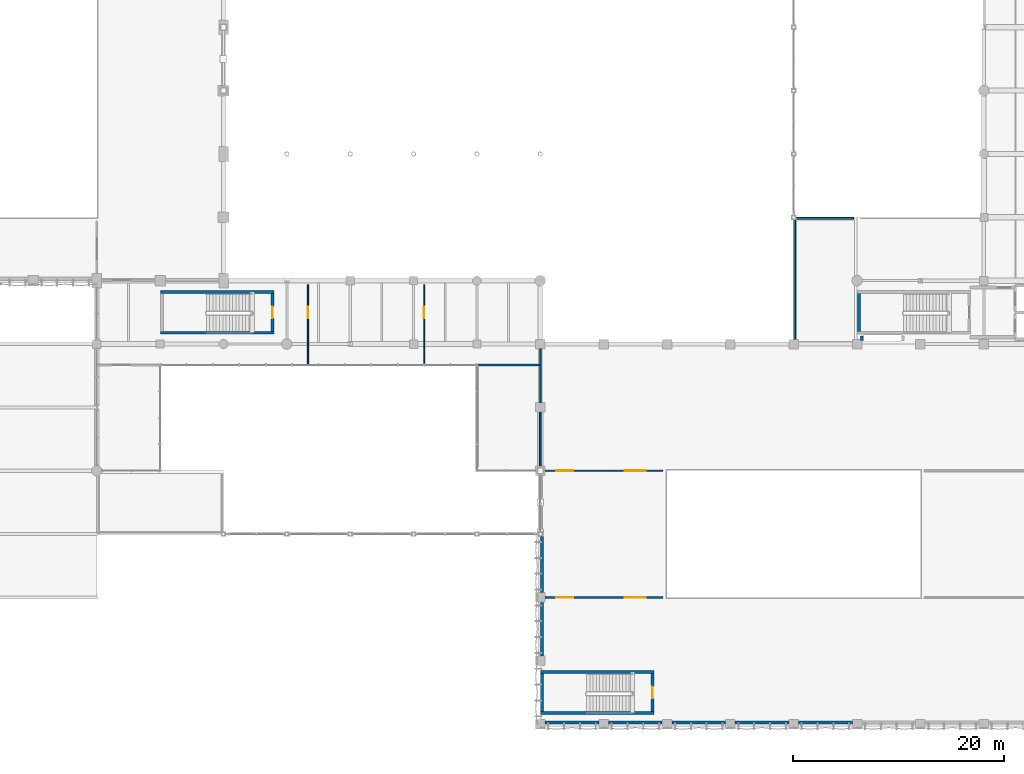
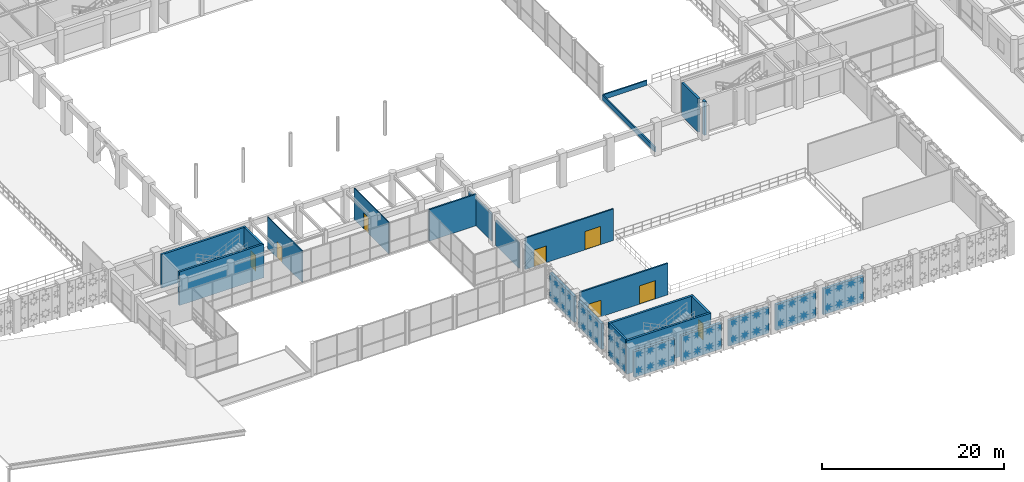
# One storey, part 98 of 133: 25 walls, 8 doors, 8 openings.
"""IFC4 building model written with IfcOpenShell, lengths in metres."""

from ifc_helpers import new_model, si_unit, direction, frame, frame_2d, origin, place, context, subcontext, project, spatial, rectangle, extrude, material, layer, layer_set, type_object, element, fill, save


model = new_model("IFC4")

# Units and contexts
model_context = context("Model", 3, precision=1e-05, world=origin(), true_north=direction((0.0, 1.0)))
body_context = subcontext(model_context, "Body", "Model", "MODEL_VIEW")
ifc_project = project(units=[si_unit("LENGTHUNIT", "METRE"), si_unit("AREAUNIT", "SQUARE_METRE"), si_unit("VOLUMEUNIT", "CUBIC_METRE"), si_unit("PLANEANGLEUNIT", "RADIAN"), si_unit("MASSUNIT", "GRAM", prefix="KILO"), si_unit("THERMODYNAMICTEMPERATUREUNIT", "KELVIN"), si_unit("POWERUNIT", "WATT")], contexts=[model_context])

# Site, building, storey
site_placement = place(None, origin())
site = spatial("IfcSite", under=ifc_project, at=site_placement, CompositionType="ELEMENT")
building_placement = place(site_placement, origin())
building = spatial("IfcBuilding", under=site, at=building_placement, Name="Phaisarnlok Congress Hotel", CompositionType="ELEMENT")
storey_placement = place(building_placement, frame((0.0, 0.0, 6.0)))
storey = spatial("IfcBuildingStorey", under=building, at=storey_placement, Name="L01", CompositionType="ELEMENT", Elevation=6.0)

# Walls
ifc_material_1 = material(Name="Concrete C40/50", Category="concrete")
ifc_layer_1 = layer(ifc_material_1, 0.320068359375, Name="Concrete C40/50")
ifc_layer_set_1 = layer_set([ifc_layer_1], Name="Concrete C40/50")
wall_type_1 = type_object("IfcWallType", Name="WL-EXT-320", PredefinedType="SOLIDWALL", material=ifc_layer_set_1)
wall_1_placement = place(storey_placement, frame((96.159912109375, 17.791748046875, 0.0), z_axis=(0.0, 0.0, 1.0), x_axis=(0.0, -1.0, 0.0)))
element("IfcWall", 1, at=wall_1_placement, inside=storey, type_object=wall_type_1, Name="Exterior wall EW-02 (L01)", PredefinedType="SOLIDWALL", context=body_context, shape_type="SweptSolid", body=[
    extrude(rectangle(XDim=5.336669921875, YDim=0.320068359375, at=frame_2d((2.66845703125, 0.0))), origin(), (0.0, 0.0, 1.0), 3.469970703125),
])
for number, where, z_axis, x_axis, name in (
    (2, (96.159912109375, 11.544921875, 0.0), (0.0, 0.0, 1.0), (0.0, -1.0, 0.0), "Exterior wall EW-02 (L01)"),
    (3, (96.455078125, 0.159912109375, 0.0), (0.0, 0.0, 1.0), (1.0, 0.0, 0.0), "Exterior wall EW-02 (L01)"),
    (4, (102.455078125, 0.159912109375, 0.0), (0.0, 0.0, 1.0), (1.0, 0.0, 0.0), "Exterior wall EW-02 (L01)"),
    (5, (108.455078125, 0.159912109375, 0.0), (0.0, 0.0, 1.0), (1.0, 0.0, 0.0), "Exterior wall EW-02 (L01)"),
    (6, (114.455078125, 0.159912109375, 0.0), (0.0, 0.0, 1.0), (1.0, 0.0, 0.0), "Exterior wall EW-02 (L01)"),
    (7, (120.455078125, 0.159912109375, 0.0), (0.0, 0.0, 1.0), (1.0, 0.0, 0.0), "Exterior wall EW-02 (L01)"),
):
    element("IfcWall", number, at=place(storey_placement, frame(where, z_axis=z_axis, x_axis=x_axis)), inside=storey, type_object=wall_type_1, Name=name, PredefinedType="SOLIDWALL", context=body_context, shape_type="SweptSolid", body=[
        extrude(rectangle(XDim=5.08984375, YDim=0.320068359375, at=frame_2d((2.544921875, 0.0))), origin(), (0.0, 0.0, 1.0), 3.469970703125),
    ])

# Wall, opening, door
ifc_material_2 = material(Name="Service Riser Shaftwall Partition", Category="gypsum")
ifc_layer_2 = layer(ifc_material_2, 0.10498046875, Name="Service Riser Shaftwall Partition")
ifc_layer_set_2 = layer_set([ifc_layer_2], Name="Service Riser Shaftwall Partition")
wall_type_2 = type_object("IfcWallType", Name="WL-INT-105", PredefinedType="PARTITIONING", material=ifc_layer_set_2)
wall_2_placement = place(storey_placement, frame((74.0, 34.044921875, 0.0), z_axis=(0.0, 0.0, 1.0), x_axis=(0.0, 1.0, 0.0)))
wall_2 = element("IfcWall", 8, at=wall_2_placement, inside=storey, type_object=wall_type_2, Name="Interior partition wall IW-08 (L01)", PredefinedType="PARTITIONING", context=body_context, shape_type="SweptSolid", body=[
    extrude(rectangle(XDim=7.5849609375, YDim=0.10498046875, at=frame_2d((3.79248046875, 0.0))), origin(), (0.0, 0.0, 1.0), 4.219970703125),
])
opening_1_placement = place(wall_2_placement, frame((4.405029296875, 0.0, 0.0)))
opening_1 = element("IfcOpeningElement", 9, at=opening_1_placement, cuts=wall_2, Name="Opening D-0064", PredefinedType="OPENING", context=body_context, shape_type="SweptSolid", body=[
    extrude(rectangle(XDim=1.10009765625, YDim=2.14990234375, at=frame_2d((0.550048828125, 1.074951171875))), frame((0.0, 0.0625, 0.0), z_axis=(0.0, -1.0, 0.0), x_axis=(1.0, 0.0, 0.0)), (0.0, 0.0, 1.0), 0.125),
])
ifc_material_3 = material(Name="Fire-Rated Steel Frame & Timber Leaf", Category="steel")
door_type_1 = type_object("IfcDoorType", Name="DR-FD60-1100", OperationType="NOTDEFINED", PredefinedType="DOOR", material=ifc_material_3)
door_1_placement = place(opening_1_placement, origin())
door_1 = element("IfcDoor", 10, at=door_1_placement, inside=storey, type_object=door_type_1, Name="Interior door D-0064 (L01)", OperationType="SINGLE_SWING_RIGHT", OverallHeight=2.14990234375, OverallWidth=1.10009765625, PredefinedType="DOOR", context=body_context, shape_type="SweptSolid", body=[
    extrude(rectangle(XDim=1.10009765625, YDim=2.14990234375, at=frame_2d((0.550048828125, 1.074951171875))), frame((0.0, 0.02490234375, 0.0), z_axis=(0.0, -1.0, 0.0), x_axis=(1.0, 0.0, 0.0)), (0.0, 0.0, 1.0), 0.050048828125),
])
fill(opening_1, door_1)

wall_3_placement = place(storey_placement, frame((85.0, 34.044921875, 0.0), z_axis=(0.0, 0.0, 1.0), x_axis=(0.0, 1.0, 0.0)))
wall_3 = element("IfcWall", 11, at=wall_3_placement, inside=storey, type_object=wall_type_2, Name="Interior partition wall IW-08 (L01)", PredefinedType="PARTITIONING", context=body_context, shape_type="SweptSolid", body=[
    extrude(rectangle(XDim=7.5849609375, YDim=0.10498046875, at=frame_2d((3.79248046875, 0.0))), origin(), (0.0, 0.0, 1.0), 4.219970703125),
])
opening_2_placement = place(wall_3_placement, frame((4.405029296875, 0.0, 0.0)))
opening_2 = element("IfcOpeningElement", 12, at=opening_2_placement, cuts=wall_3, Name="Opening D-0065", PredefinedType="OPENING", context=body_context, shape_type="SweptSolid", body=[
    extrude(rectangle(XDim=1.10009765625, YDim=2.14990234375, at=frame_2d((0.550048828125, 1.074951171875))), frame((0.0, 0.0625, 0.0), z_axis=(0.0, -1.0, 0.0), x_axis=(1.0, 0.0, 0.0)), (0.0, 0.0, 1.0), 0.125),
])
door_2_placement = place(opening_2_placement, origin())
door_2 = element("IfcDoor", 13, at=door_2_placement, inside=storey, type_object=door_type_1, Name="Interior door D-0065 (L01)", OperationType="SINGLE_SWING_LEFT", OverallHeight=2.14990234375, OverallWidth=1.10009765625, PredefinedType="DOOR", context=body_context, shape_type="SweptSolid", body=[
    extrude(rectangle(XDim=1.10009765625, YDim=2.14990234375, at=frame_2d((0.550048828125, 1.074951171875))), frame((0.0, 0.02490234375, 0.0), z_axis=(0.0, -1.0, 0.0), x_axis=(1.0, 0.0, 0.0)), (0.0, 0.0, 1.0), 0.050048828125),
])
fill(opening_2, door_2)

# Walls
ifc_material_4 = material(Name="Acoustic Gypsum Board & Mineral Wool", Category="gypsum")
ifc_layer_3 = layer(ifc_material_4, 0.14990234375, Name="Acoustic Gypsum Board & Mineral Wool")
ifc_layer_set_3 = layer_set([ifc_layer_3], Name="Acoustic Gypsum Board & Mineral Wool")
wall_type_3 = type_object("IfcWallType", Name="WL-INT-150", PredefinedType="PARTITIONING", material=ifc_layer_set_3)
wall_4_placement = place(storey_placement, frame((96.0, 30.455078125, 0.0), z_axis=(0.0, 0.0, 1.0), x_axis=(0.0, 1.0, 0.0)))
element("IfcWall", 14, at=wall_4_placement, inside=storey, type_object=wall_type_3, Name="Interior partition wall IW-05 (L01)", PredefinedType="PARTITIONING", context=body_context, shape_type="SweptSolid", body=[
    extrude(rectangle(XDim=5.08984375, YDim=0.14990234375, at=frame_2d((2.544921875, 0.0))), origin(), (0.0, 0.0, 1.0), 3.669921875),
])
ifc_material_5 = material(Name="Double-Stud Acoustic Gypsum Partition", Category="gypsum")
ifc_layer_4 = layer(ifc_material_5, 0.159912109375, Name="Double-Stud Acoustic Gypsum Partition")
ifc_layer_set_4 = layer_set([ifc_layer_4], Name="Double-Stud Acoustic Gypsum Partition")
wall_type_4 = type_object("IfcWallType", Name="WL-INT-160", PredefinedType="PARTITIONING", material=ifc_layer_set_4)
wall_5_placement = place(storey_placement, frame((96.0, 24.455078125, 0.0), z_axis=(0.0, 0.0, 1.0), x_axis=(0.0, 1.0, 0.0)))
element("IfcWall", 15, at=wall_5_placement, inside=storey, type_object=wall_type_4, Name="Interior partition wall IW-04 (L01)", PredefinedType="PARTITIONING", context=body_context, shape_type="SweptSolid", body=[
    extrude(rectangle(XDim=5.08984375, YDim=0.159912109375, at=frame_2d((2.544921875, 0.0))), origin(), (0.0, 0.0, 1.0), 3.419921875),
])

# Wall, openings, doors
ifc_material_6 = material(Name="Autoclaved Aerated Concrete Block", Category="concrete")
ifc_layer_5 = layer(ifc_material_6, 0.179931640625, Name="Autoclaved Aerated Concrete Block")
ifc_layer_set_5 = layer_set([ifc_layer_5], Name="Autoclaved Aerated Concrete Block")
wall_type_5 = type_object("IfcWallType", Name="WL-INT-180", PredefinedType="PARTITIONING", material=ifc_layer_set_5)
wall_6_placement = place(storey_placement, frame((96.455078125, 24.0, 0.0), z_axis=(0.0, 0.0, 1.0), x_axis=(1.0, 0.0, 0.0)))
wall_6 = element("IfcWall", 16, at=wall_6_placement, inside=storey, type_object=wall_type_5, Name="Interior partition wall IW-03 (L01)", PredefinedType="PARTITIONING", context=body_context, shape_type="SweptSolid", body=[
    extrude(rectangle(XDim=11.1748046875, YDim=0.179931640625, at=frame_2d((5.58740234375, 0.0))), origin(), (0.0, 0.0, 1.0), 4.219970703125),
])
opening_3_placement = place(wall_6_placement, frame((7.544921875, 0.0, 0.0)))
opening_3 = element("IfcOpeningElement", 17, at=opening_3_placement, cuts=wall_6, Name="Opening D-0060", PredefinedType="OPENING", context=body_context, shape_type="SweptSolid", body=[
    extrude(rectangle(XDim=2.0, YDim=2.449951171875, at=frame_2d((1.0, 1.22509765625))), frame((0.0, 0.10009765625, 0.0), z_axis=(0.0, -1.0, 0.0), x_axis=(1.0, 0.0, 0.0)), (0.0, 0.0, 1.0), 0.199951171875),
])
opening_4_placement = place(wall_6_placement, frame((1.06494140625, 0.0, 0.0)))
opening_4 = element("IfcOpeningElement", 18, at=opening_4_placement, cuts=wall_6, Name="Opening D-0080", PredefinedType="OPENING", context=body_context, shape_type="SweptSolid", body=[
    extrude(rectangle(XDim=1.60009765625, YDim=2.25, at=frame_2d((0.800048828125, 1.125))), frame((0.0, 0.10009765625, 0.0), z_axis=(0.0, -1.0, 0.0), x_axis=(1.0, 0.0, 0.0)), (0.0, 0.0, 1.0), 0.199951171875),
])
ifc_material_7 = material(Name="Frameless Tempered Acoustic Glass", Category="glass")
door_type_2 = type_object("IfcDoorType", Name="DR-GLZ-1600", OperationType="DOUBLE_DOOR_SINGLE_SWING", PredefinedType="DOOR", material=ifc_material_7)
door_3_placement = place(opening_4_placement, origin())
door_3 = element("IfcDoor", 19, at=door_3_placement, inside=storey, type_object=door_type_2, Name="Interior door D-0080 (L01)", OperationType="DOUBLE_DOOR_SINGLE_SWING", OverallHeight=2.25, OverallWidth=1.60009765625, PredefinedType="DOOR", context=body_context, shape_type="SweptSolid", body=[
    extrude(rectangle(XDim=1.60009765625, YDim=2.25, at=frame_2d((0.800048828125, 1.125))), frame((0.0, 0.02490234375, 0.0), z_axis=(0.0, -1.0, 0.0), x_axis=(1.0, 0.0, 0.0)), (0.0, 0.0, 1.0), 0.050048828125),
])
fill(opening_4, door_3)
ifc_material_8 = material(Name="Acoustic Double-Seal Congress Door", Category="wood")
door_type_3 = type_object("IfcDoorType", Name="DR-HALL-2000", OperationType="DOUBLE_DOOR_SINGLE_SWING", PredefinedType="DOOR", material=ifc_material_8)
door_4_placement = place(opening_3_placement, origin())
door_4 = element("IfcDoor", 20, at=door_4_placement, inside=storey, type_object=door_type_3, Name="Interior door D-0060 (L01)", OperationType="DOUBLE_DOOR_SINGLE_SWING", OverallHeight=2.449951171875, OverallWidth=2.0, PredefinedType="DOOR", context=body_context, shape_type="SweptSolid", body=[
    extrude(rectangle(XDim=2.0, YDim=2.449951171875, at=frame_2d((1.0, 1.22509765625))), frame((0.0, 0.02490234375, 0.0), z_axis=(0.0, -1.0, 0.0), x_axis=(1.0, 0.0, 0.0)), (0.0, 0.0, 1.0), 0.050048828125),
])
fill(opening_3, door_4)

ifc_layer_6 = layer(ifc_material_6, 0.199951171875, Name="Autoclaved Aerated Concrete Block")
ifc_layer_set_6 = layer_set([ifc_layer_6], Name="Autoclaved Aerated Concrete Block")
wall_type_6 = type_object("IfcWallType", Name="WL-INT-200", PredefinedType="PARTITIONING", material=ifc_layer_set_6)
wall_7_placement = place(storey_placement, frame((96.455078125, 12.0, 0.0), z_axis=(0.0, 0.0, 1.0), x_axis=(1.0, 0.0, 0.0)))
wall_7 = element("IfcWall", 21, at=wall_7_placement, inside=storey, type_object=wall_type_6, Name="Interior partition wall IW-02 (L01)", PredefinedType="PARTITIONING", context=body_context, shape_type="SweptSolid", body=[
    extrude(rectangle(XDim=11.1748046875, YDim=0.199951171875, at=frame_2d((5.58740234375, 0.0))), origin(), (0.0, 0.0, 1.0), 4.219970703125),
])
opening_5_placement = place(wall_7_placement, frame((7.544921875, 0.0, 0.0)))
opening_5 = element("IfcOpeningElement", 22, at=opening_5_placement, cuts=wall_7, Name="Opening D-0059", PredefinedType="OPENING", context=body_context, shape_type="SweptSolid", body=[
    extrude(rectangle(XDim=2.0, YDim=2.449951171875, at=frame_2d((1.0, 1.22509765625))), frame((0.0, 0.10986328125, 0.0), z_axis=(0.0, -1.0, 0.0), x_axis=(1.0, 0.0, 0.0)), (0.0, 0.0, 1.0), 0.219970703125),
])
opening_6_placement = place(wall_7_placement, frame((1.06494140625, 0.0, 0.0)))
opening_6 = element("IfcOpeningElement", 23, at=opening_6_placement, cuts=wall_7, Name="Opening D-0079", PredefinedType="OPENING", context=body_context, shape_type="SweptSolid", body=[
    extrude(rectangle(XDim=1.60009765625, YDim=2.25, at=frame_2d((0.800048828125, 1.125))), frame((0.0, 0.10986328125, 0.0), z_axis=(0.0, -1.0, 0.0), x_axis=(1.0, 0.0, 0.0)), (0.0, 0.0, 1.0), 0.219970703125),
])
door_5_placement = place(opening_6_placement, origin())
door_5 = element("IfcDoor", 24, at=door_5_placement, inside=storey, type_object=door_type_2, Name="Interior door D-0079 (L01)", OperationType="DOUBLE_DOOR_SINGLE_SWING", OverallHeight=2.25, OverallWidth=1.60009765625, PredefinedType="DOOR", context=body_context, shape_type="SweptSolid", body=[
    extrude(rectangle(XDim=1.60009765625, YDim=2.25, at=frame_2d((0.800048828125, 1.125))), frame((0.0, 0.02490234375, 0.0), z_axis=(0.0, -1.0, 0.0), x_axis=(1.0, 0.0, 0.0)), (0.0, 0.0, 1.0), 0.050048828125),
])
fill(opening_6, door_5)
door_6_placement = place(opening_5_placement, origin())
door_6 = element("IfcDoor", 25, at=door_6_placement, inside=storey, type_object=door_type_3, Name="Interior door D-0059 (L01)", OperationType="DOUBLE_DOOR_SINGLE_SWING", OverallHeight=2.449951171875, OverallWidth=2.0, PredefinedType="DOOR", context=body_context, shape_type="SweptSolid", body=[
    extrude(rectangle(XDim=2.0, YDim=2.449951171875, at=frame_2d((1.0, 1.22509765625))), frame((0.0, 0.02490234375, 0.0), z_axis=(0.0, -1.0, 0.0), x_axis=(1.0, 0.0, 0.0)), (0.0, 0.0, 1.0), 0.050048828125),
])
fill(opening_5, door_6)

# Walls
wall_8_placement = place(storey_placement, frame((90.044921875, 34.0, 0.0), z_axis=(0.0, 0.0, 1.0), x_axis=(1.0, 0.0, 0.0)))
element("IfcWall", 26, at=wall_8_placement, inside=storey, type_object=wall_type_6, Name="Interior partition wall IW-02 (L01)", PredefinedType="PARTITIONING", context=body_context, shape_type="SweptSolid", body=[
    extrude(rectangle(XDim=5.955078125, YDim=0.199951171875, at=frame_2d((2.9775390625, 0.0))), origin(), (0.0, 0.0, 1.0), 4.219970703125),
])
ifc_layer_7 = layer(ifc_material_1, 0.169921875, Name="Concrete C40/50")
ifc_layer_set_7 = layer_set([ifc_layer_7], Name="Concrete C40/50")
wall_type_7 = type_object("IfcWallType", Name="WL-PAR-170", PredefinedType="PARAPET", material=ifc_layer_set_7)
wall_9_placement = place(storey_placement, frame((125.699951171875, 47.909912109375, 0.0), z_axis=(0.0, 0.0, 1.0), x_axis=(-1.0, 0.0, 0.0)))
element("IfcWall", 27, at=wall_9_placement, inside=storey, type_object=wall_type_7, Name="Podium roof parapet WP-02 (L01)", PredefinedType="PARAPET", context=body_context, shape_type="SweptSolid", body=[
    extrude(rectangle(XDim=5.60986328125, YDim=0.169921875, at=frame_2d((2.804931640625, 0.0))), origin(), (0.0, 0.0, 1.0), 0.64990234375),
])
wall_10_placement = place(storey_placement, frame((120.090087890625, 47.909912109375, 0.0), z_axis=(0.0, 0.0, 1.0), x_axis=(0.0, -1.0, 0.0)))
element("IfcWall", 28, at=wall_10_placement, inside=storey, type_object=wall_type_7, Name="Podium roof parapet WP-02 (L01)", PredefinedType="PARAPET", context=body_context, shape_type="SweptSolid", body=[
    extrude(rectangle(XDim=11.60986328125, YDim=0.169921875, at=frame_2d((5.804931640625, 0.0))), origin(), (0.0, 0.0, 1.0), 0.64990234375),
])
ifc_material_9 = material(Name="Concrete C50/60", Category="concrete")
ifc_layer_8 = layer(ifc_material_9, 0.260009765625, Name="Concrete C50/60")
ifc_layer_set_8 = layer_set([ifc_layer_8], Name="Concrete C50/60")
wall_type_8 = type_object("IfcWallType", Name="WL-SHR-260", PredefinedType="SHEAR", material=ifc_layer_set_8)
wall_11_placement = place(storey_placement, frame((126.169921875, 37.199951171875, 0.0), z_axis=(0.0, 0.0, 1.0), x_axis=(0.0, 1.0, 0.0)))
element("IfcWall", 29, at=wall_11_placement, inside=storey, type_object=wall_type_8, Name="Stair shaft shear wall SW-04 (CORE-6 L01)", PredefinedType="SHEAR", context=body_context, shape_type="SweptSolid", body=[
    extrude(rectangle(XDim=3.60009765625, YDim=0.260009765625, at=frame_2d((1.800048828125, 0.0))), origin(), (0.0, 0.0, 1.0), 4.5),
])
wall_12_placement = place(storey_placement, frame((126.469970703125, 36.330078125, 0.0), z_axis=(0.0, 0.0, 1.0), x_axis=(0.0, 1.0, 0.0)))
element("IfcWall", 30, at=wall_12_placement, inside=storey, type_object=wall_type_8, Name="Service riser shaft wall SW-04 (CORE-6 L01)", PredefinedType="SHEAR", context=body_context, shape_type="SweptSolid", body=[
    extrude(rectangle(XDim=0.43994140625, YDim=0.260009765625, at=frame_2d((0.219970703125, 0.0))), origin(), (0.0, 0.0, 1.0), 4.5),
])
for number, where, z_axis, x_axis, name in (
    (31, (60.0400390625, 37.070068359375, 0.0), (0.0, 0.0, 1.0), (1.0, 0.0, 0.0), "Stair shaft shear wall SW-04 (STAIR-POD-S L01)"),
    (32, (60.0400390625, 40.929931640625, 0.0), (0.0, 0.0, 1.0), (1.0, 0.0, 0.0), "Stair shaft shear wall SW-04 (STAIR-POD-S L01)"),
):
    element("IfcWall", number, at=place(storey_placement, frame(where, z_axis=z_axis, x_axis=x_axis)), inside=storey, type_object=wall_type_8, Name=name, PredefinedType="SHEAR", context=body_context, shape_type="SweptSolid", body=[
        extrude(rectangle(XDim=10.719970703125, YDim=0.260009765625, at=frame_2d((5.35986328125, 0.0))), origin(), (0.0, 0.0, 1.0), 4.5),
    ])

# Wall, opening, door
wall_13_placement = place(storey_placement, frame((70.6298828125, 37.199951171875, 0.0), z_axis=(0.0, 0.0, 1.0), x_axis=(0.0, 1.0, 0.0)))
wall_13 = element("IfcWall", 33, at=wall_13_placement, inside=storey, type_object=wall_type_8, Name="Stair shaft shear wall SW-04 (STAIR-POD-S L01)", PredefinedType="SHEAR", context=body_context, shape_type="SweptSolid", body=[
    extrude(rectangle(XDim=3.60009765625, YDim=0.260009765625, at=frame_2d((1.800048828125, 0.0))), origin(), (0.0, 0.0, 1.0), 4.5),
])
opening_7_placement = place(wall_13_placement, frame((1.25, 0.0, 0.0)))
opening_7 = element("IfcOpeningElement", 34, at=opening_7_placement, cuts=wall_13, Name="Opening FD-157", PredefinedType="OPENING", context=body_context, shape_type="SweptSolid", body=[
    extrude(rectangle(XDim=1.10009765625, YDim=2.14990234375, at=frame_2d((0.550048828125, 1.074951171875))), frame((0.0, 0.14013671875, 0.0), z_axis=(0.0, -1.0, 0.0), x_axis=(1.0, 0.0, 0.0)), (0.0, 0.0, 1.0), 0.280029296875),
])
door_7_placement = place(opening_7_placement, origin())
door_7 = element("IfcDoor", 35, at=door_7_placement, inside=storey, type_object=door_type_1, Name="Stair enclosure fire door FD-157 (L01)", OperationType="SINGLE_SWING_RIGHT", OverallHeight=2.14990234375, OverallWidth=1.10009765625, PredefinedType="DOOR", context=body_context, shape_type="SweptSolid", body=[
    extrude(rectangle(XDim=1.10009765625, YDim=2.14990234375, at=frame_2d((0.550048828125, 1.074951171875))), frame((0.0, 0.02490234375, 0.0), z_axis=(0.0, -1.0, 0.0), x_axis=(1.0, 0.0, 0.0)), (0.0, 0.0, 1.0), 0.050048828125),
])
fill(opening_7, door_7)

# Walls
for number, where, z_axis, x_axis, name in (
    (36, (96.0400390625, 1.070068359375, 0.0), (0.0, 0.0, 1.0), (1.0, 0.0, 0.0), "Stair shaft shear wall SW-04 (STAIR-S L01)"),
    (37, (96.0400390625, 4.929931640625, 0.0), (0.0, 0.0, 1.0), (1.0, 0.0, 0.0), "Stair shaft shear wall SW-04 (STAIR-S L01)"),
):
    element("IfcWall", number, at=place(storey_placement, frame(where, z_axis=z_axis, x_axis=x_axis)), inside=storey, type_object=wall_type_8, Name=name, PredefinedType="SHEAR", context=body_context, shape_type="SweptSolid", body=[
        extrude(rectangle(XDim=10.719970703125, YDim=0.260009765625, at=frame_2d((5.35986328125, 0.0))), origin(), (0.0, 0.0, 1.0), 4.5),
    ])

# Wall, opening, door
wall_14_placement = place(storey_placement, frame((106.6298828125, 1.199951171875, 0.0), z_axis=(0.0, 0.0, 1.0), x_axis=(0.0, 1.0, 0.0)))
wall_14 = element("IfcWall", 38, at=wall_14_placement, inside=storey, type_object=wall_type_8, Name="Stair shaft shear wall SW-04 (STAIR-S L01)", PredefinedType="SHEAR", context=body_context, shape_type="SweptSolid", body=[
    extrude(rectangle(XDim=3.60009765625, YDim=0.260009765625, at=frame_2d((1.800048828125, 0.0))), origin(), (0.0, 0.0, 1.0), 4.5),
])
opening_8_placement = place(wall_14_placement, frame((1.25, 0.0, 0.0)))
opening_8 = element("IfcOpeningElement", 39, at=opening_8_placement, cuts=wall_14, Name="Opening FD-172", PredefinedType="OPENING", context=body_context, shape_type="SweptSolid", body=[
    extrude(rectangle(XDim=1.10009765625, YDim=2.14990234375, at=frame_2d((0.550048828125, 1.074951171875))), frame((0.0, 0.14013671875, 0.0), z_axis=(0.0, -1.0, 0.0), x_axis=(1.0, 0.0, 0.0)), (0.0, 0.0, 1.0), 0.280029296875),
])
door_8_placement = place(opening_8_placement, origin())
door_8 = element("IfcDoor", 40, at=door_8_placement, inside=storey, type_object=door_type_1, Name="Stair enclosure fire door FD-172 (L01)", OperationType="SINGLE_SWING_LEFT", OverallHeight=2.14990234375, OverallWidth=1.10009765625, PredefinedType="DOOR", context=body_context, shape_type="SweptSolid", body=[
    extrude(rectangle(XDim=1.10009765625, YDim=2.14990234375, at=frame_2d((0.550048828125, 1.074951171875))), frame((0.0, 0.02490234375, 0.0), z_axis=(0.0, -1.0, 0.0), x_axis=(1.0, 0.0, 0.0)), (0.0, 0.0, 1.0), 0.050048828125),
])
fill(opening_8, door_8)

# Wall
ifc_layer_9 = layer(ifc_material_9, 0.260009765625, Name="Concrete C50/60")
ifc_layer_set_9 = layer_set([ifc_layer_9], Name="Concrete C50/60")
wall_type_9 = type_object("IfcWallType", Name="WL-SHR-260-EXT", PredefinedType="SHEAR", material=ifc_layer_set_9)
wall_15_placement = place(storey_placement, frame((96.169921875, 1.199951171875, 0.0), z_axis=(0.0, 0.0, 1.0), x_axis=(0.0, 1.0, 0.0)))
element("IfcWall", 41, at=wall_15_placement, inside=storey, type_object=wall_type_9, Name="Stair shaft shear wall SW-04E (STAIR-S L01)", PredefinedType="SHEAR", context=body_context, shape_type="SweptSolid", body=[
    extrude(rectangle(XDim=3.60009765625, YDim=0.260009765625, at=frame_2d((1.800048828125, 0.0))), origin(), (0.0, 0.0, 1.0), 4.5),
])

save(model, "model.ifc")
